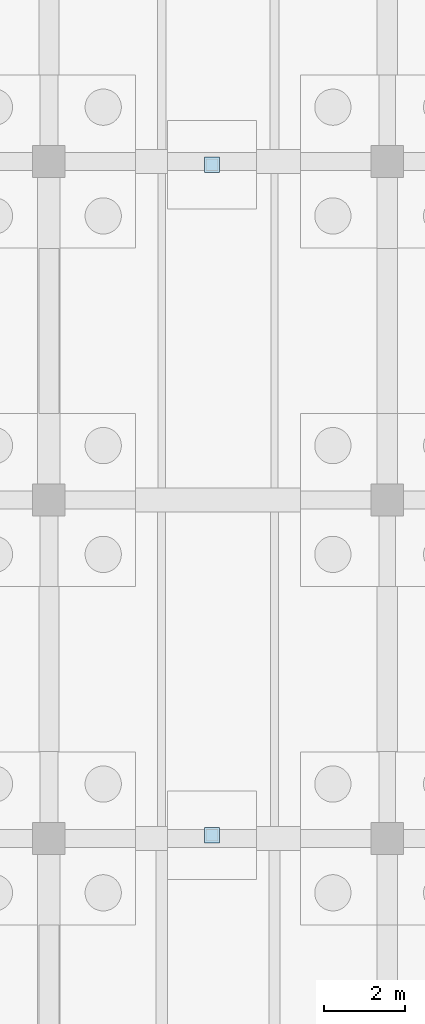
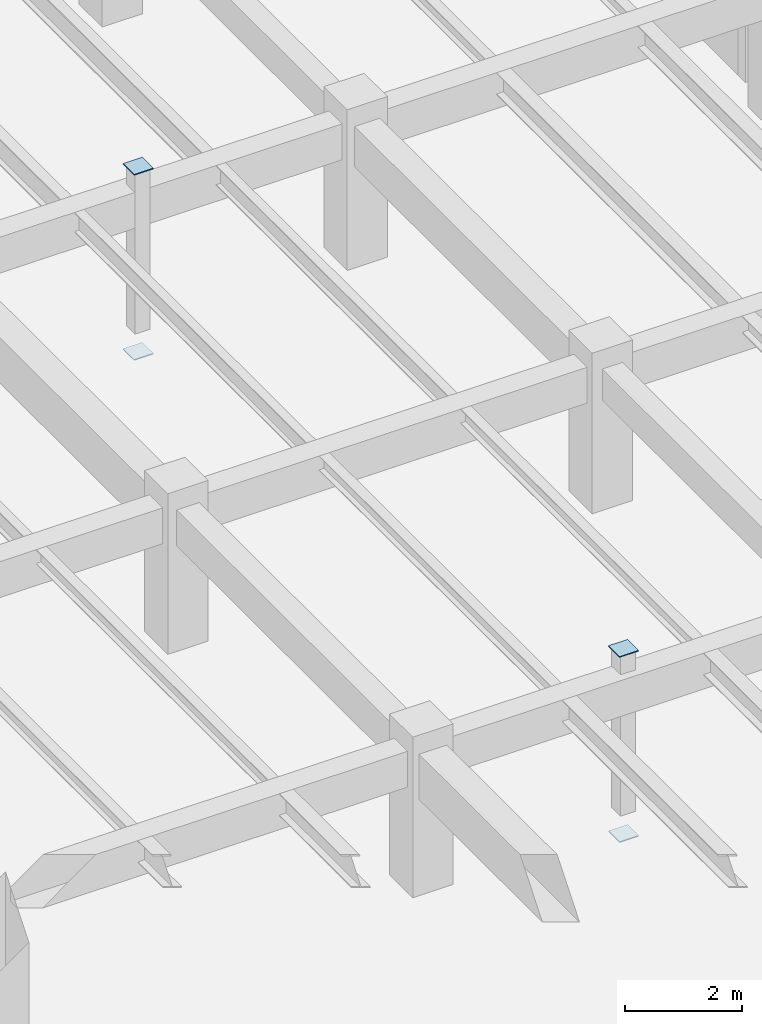
# One storey, part 40 of 70: 4 plates.
"""IFC4 building model written with IfcOpenShell, lengths in metres."""

from ifc_helpers import new_model, si_unit, direction, frame, origin, origin_2d, place, context, subcontext, project, spatial, rectangle, extrude, material, layer, layer_set, type_object, element, save


model = new_model("IFC4")

# Units and contexts
model_context = context("Model", 3, precision=1e-05, world=origin(), true_north=direction((0.0, 1.0)))
body_context = subcontext(model_context, "Body", "Model", "MODEL_VIEW")
ifc_project = project(units=[si_unit("LENGTHUNIT", "METRE"), si_unit("AREAUNIT", "SQUARE_METRE"), si_unit("VOLUMEUNIT", "CUBIC_METRE"), si_unit("PLANEANGLEUNIT", "RADIAN"), si_unit("MASSUNIT", "GRAM", prefix="KILO")], contexts=[model_context])

# Site, building, storey
site_placement = place(None, origin())
site = spatial("IfcSite", under=ifc_project, at=site_placement, CompositionType="ELEMENT")
building_placement = place(site_placement, origin())
building = spatial("IfcBuilding", under=site, at=building_placement, Name="Cumbredor Promenade Congress Hotel", CompositionType="ELEMENT")
storey_placement = place(building_placement, frame((0.0, 0.0, -7.56005859375)))
storey = spatial("IfcBuildingStorey", under=building, at=storey_placement, Name="B02", CompositionType="ELEMENT", Elevation=-7.56005859375)

# Plates
ifc_material = material(Name="Steel ASTM A572 Grade 50", Category="steel")
ifc_layer = layer(ifc_material, 0.02001953125, Name="Steel ASTM A572 Grade 50", Category="steel")
ifc_layer_set = layer_set([ifc_layer], Name="Steel ASTM A572 Grade 50")
plate_type = type_object("IfcPlateType", Name="Hollow Section End Cap Plate CP-04", PredefinedType="USERDEFINED", material=ifc_layer_set)
for number, where, z_axis, x_axis, name in (
    (1, (155.25, 67.280029296875, -0.51806640625), (0.0, 0.0, 1.0), (1.0, 0.0, 0.0), "East Ballroom-to-Forum Glazed Bridge B02 Substructure Pier 2 Start Cap Plate"),
    (2, (155.25, 67.280029296875, 3.358154296875), (0.0, 0.0, 1.0), (1.0, 0.0, 0.0), "East Ballroom-to-Forum Glazed Bridge B02 Substructure Pier 2 End Cap Plate"),
    (3, (155.25, 83.919921875, -0.51806640625), (0.0, 0.0, 1.0), (1.0, 0.0, 0.0), "East Ballroom-to-Forum Glazed Bridge B02 Substructure Pier 4 Start Cap Plate"),
    (4, (155.25, 83.919921875, 3.358154296875), (0.0, 0.0, 1.0), (1.0, 0.0, 0.0), "East Ballroom-to-Forum Glazed Bridge B02 Substructure Pier 4 End Cap Plate"),
):
    element("IfcPlate", number, at=place(storey_placement, frame(where, z_axis=z_axis, x_axis=x_axis)), inside=storey, type_object=plate_type, Name=name, ObjectType="CAP PLATE", PredefinedType="USERDEFINED", context=body_context, shape_type="SweptSolid", body=[
        extrude(rectangle(XDim=0.3798828125, YDim=0.3798828125, at=origin_2d()), origin(), (0.0, 0.0, 1.0), 0.02001953125),
    ])

save(model, "model.ifc")
